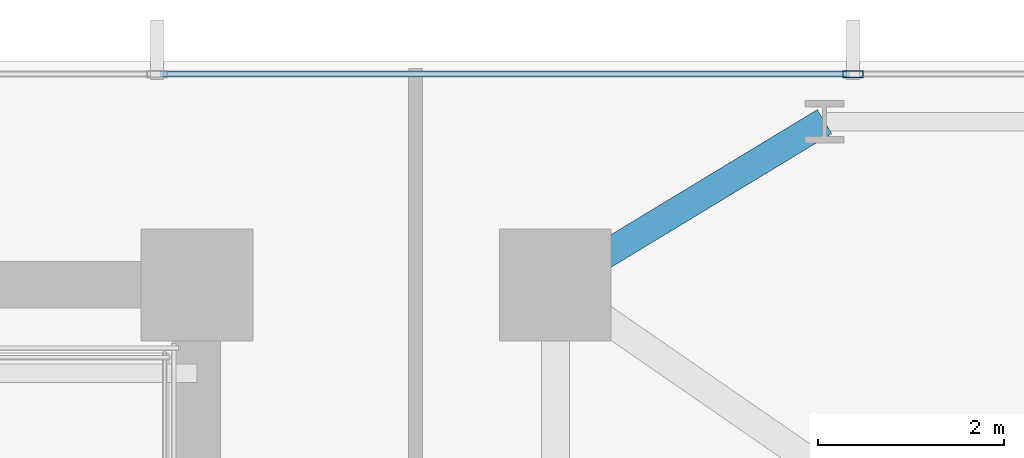
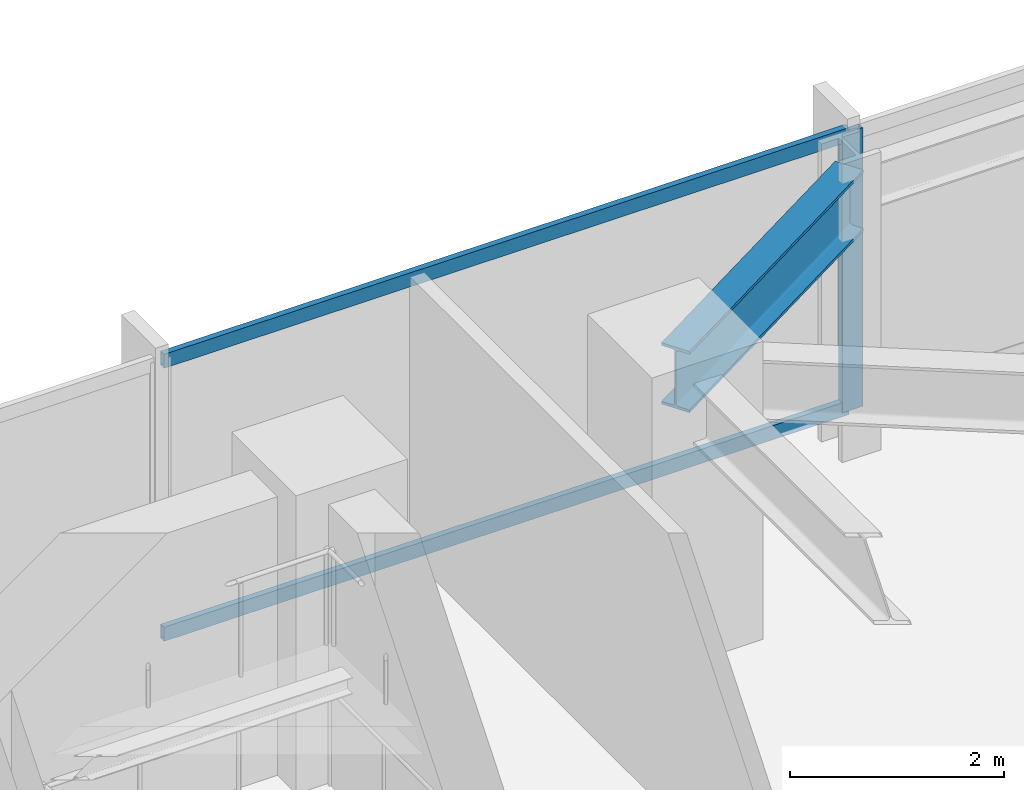
# One storey, part 20 of 33: 3 members, 1 beam, 1 element without a shape of its own.
"""IFC4 building model written with IfcOpenShell, lengths in metres."""

from ifc_helpers import new_model, si_unit, direction, frame, origin, origin_2d, place, context, subcontext, project, spatial, hollow_rectangle, i_section, extrude, material, material_profile, profile_set, type_object, element, aggregate, save


model = new_model("IFC4")

# Units and contexts
model_context = context("Model", 3, precision=1e-05, world=origin(), true_north=direction((0.0, 1.0)))
body_context = subcontext(model_context, "Body", "Model", "MODEL_VIEW")
ifc_project = project(units=[si_unit("LENGTHUNIT", "METRE"), si_unit("AREAUNIT", "SQUARE_METRE"), si_unit("VOLUMEUNIT", "CUBIC_METRE"), si_unit("PLANEANGLEUNIT", "RADIAN"), si_unit("MASSUNIT", "GRAM", prefix="KILO")], contexts=[model_context])

# Site, building, storey
site_placement = place(None, origin())
site = spatial("IfcSite", under=ifc_project, at=site_placement, CompositionType="ELEMENT")
building_placement = place(site_placement, origin())
building = spatial("IfcBuilding", under=site, at=building_placement, Name="Yelkora Congress Tower", CompositionType="ELEMENT")
storey_placement = place(building_placement, frame((0.0, 0.0, 54.199951171875)))
storey = spatial("IfcBuildingStorey", under=building, at=storey_placement, Name="L13", CompositionType="ELEMENT", Elevation=54.199951171875)

# Beam
ifc_material_1 = material(Name="Steel S355J2", Category="steel")
ifc_material_profile_1 = material_profile(ifc_material_1, i_section(OverallWidth=0.300048828125, OverallDepth=0.699951171875, WebThickness=0.01708984375, FlangeThickness=0.031982421875, FilletRadius=0.027099609375, at=origin_2d()), Name="HEB 700")
ifc_profile_set_1 = profile_set([ifc_material_profile_1], Name="Steel S355J2")
beam_type = type_object("IfcBeamType", Name="BM-GIRD-HEB700", PredefinedType="BEAM", material=ifc_profile_set_1)
beam_placement = place(storey_placement, frame((60.487548828125, 47.949951171875, 2.830078125), z_axis=(-0.855193946581, -0.518308126244, 0.0), x_axis=(0.518308126244, -0.855193946581, 0.0)))
element("IfcBeam", 1, at=beam_placement, inside=storey, type_object=beam_type, Name="L13 Primary Frame Girder N08", PredefinedType="BEAM", context=body_context, shape_type="SweptSolid", body=[
    extrude(i_section(OverallWidth=0.300048828125, OverallDepth=0.699951171875, WebThickness=0.01708984375, FlangeThickness=0.031982421875, FilletRadius=0.027099609375, at=origin_2d()), origin(), (0.0, 0.0, 1.0), 3.37646484375),
])

# Curtain wall, members
ifc_material_2 = material(Name="Anodised aluminium and insulated glass", Category="aluminium")
curtain_wall_type = type_object("IfcCurtainWallType", Name="CW-SYS-B1", PredefinedType="NOTDEFINED", material=ifc_material_2)
curtain_wall_placement = place(storey_placement, origin())
curtain_wall = element("IfcCurtainWall", 2, at=curtain_wall_placement, inside=storey, type_object=curtain_wall_type, Name="L13 Unitised Curtain Wall 10", PredefinedType="NOTDEFINED")
ifc_material_3 = material(Name="Anodised aluminium 6063-T6", Category="aluminium")
ifc_material_profile_2 = material_profile(ifc_material_3, hollow_rectangle(XDim=0.074951171875, YDim=0.219970703125, WallThickness=0.0048828125, at=origin_2d()), Name="ALU 75x220x5")
ifc_profile_set_2 = profile_set([ifc_material_profile_2], Name="Anodised aluminium 6063-T6")
member_type_1 = type_object("IfcMemberType", Name="MEM-ML-B1", PredefinedType="MULLION", material=ifc_profile_set_2)
member_1_placement = place(storey_placement, frame((60.794921875, 48.4599609375, 0.0), z_axis=(0.0, 0.0, 1.0), x_axis=(0.0, 1.0, 0.0)))
member_1 = element("IfcMember", 3, at=member_1_placement, type_object=member_type_1, Name="CW-B1 mullion 8", PredefinedType="MULLION", context=body_context, shape_type="SweptSolid", body=[
    extrude(hollow_rectangle(XDim=0.074951171875, YDim=0.219970703125, WallThickness=0.0048828125, at=origin_2d()), origin(), (0.0, 0.0, 1.0), 3.179931640625),
])
ifc_material_profile_3 = material_profile(ifc_material_3, hollow_rectangle(XDim=0.06494140625, YDim=0.159912109375, WallThickness=0.00390625, at=origin_2d()), Name="ALU 65x160x4")
ifc_profile_set_3 = profile_set([ifc_material_profile_3], Name="Anodised aluminium 6063-T6")
member_type_2 = type_object("IfcMemberType", Name="MEM-TR-B1", PredefinedType="USERDEFINED", material=ifc_profile_set_3)
member_2_placement = place(storey_placement, frame((53.367431640625, 48.4599609375, 0.032470703125), z_axis=(1.0, 0.0, 0.0), x_axis=(0.0, 1.0, 0.0)))
member_2 = element("IfcMember", 4, at=member_2_placement, type_object=member_type_2, Name="CW-B1 transom 7.1", ObjectType="TRANSOM", PredefinedType="USERDEFINED", context=body_context, shape_type="SweptSolid", body=[
    extrude(hollow_rectangle(XDim=0.06494140625, YDim=0.159912109375, WallThickness=0.00390625, at=origin_2d()), origin(), (0.0, 0.0, 1.0), 7.39013671875),
])
member_3_placement = place(storey_placement, frame((53.367431640625, 48.4599609375, 3.1474609375), z_axis=(1.0, 0.0, 0.0), x_axis=(0.0, 1.0, 0.0)))
member_3 = element("IfcMember", 5, at=member_3_placement, type_object=member_type_2, Name="CW-B1 transom 7.2", ObjectType="TRANSOM", PredefinedType="USERDEFINED", context=body_context, shape_type="SweptSolid", body=[
    extrude(hollow_rectangle(XDim=0.06494140625, YDim=0.159912109375, WallThickness=0.00390625, at=origin_2d()), origin(), (0.0, 0.0, 1.0), 7.39013671875),
])
aggregate(curtain_wall, [member_1, member_2, member_3])

save(model, "model.ifc")
